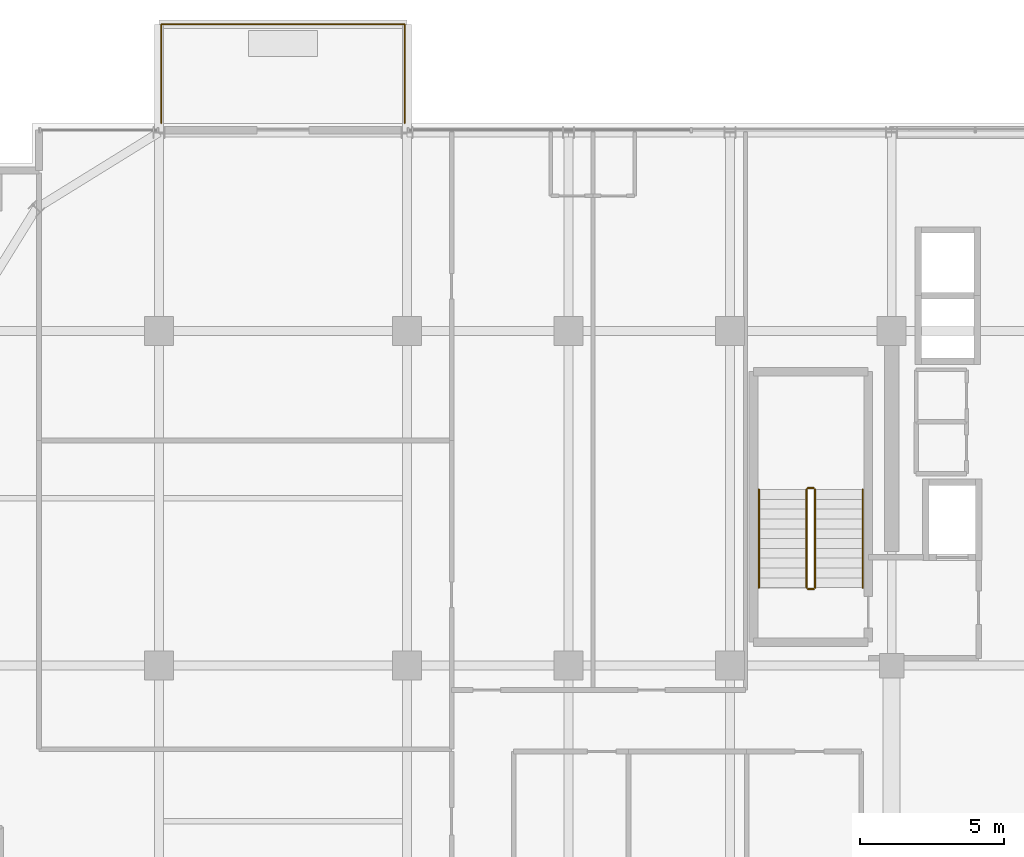
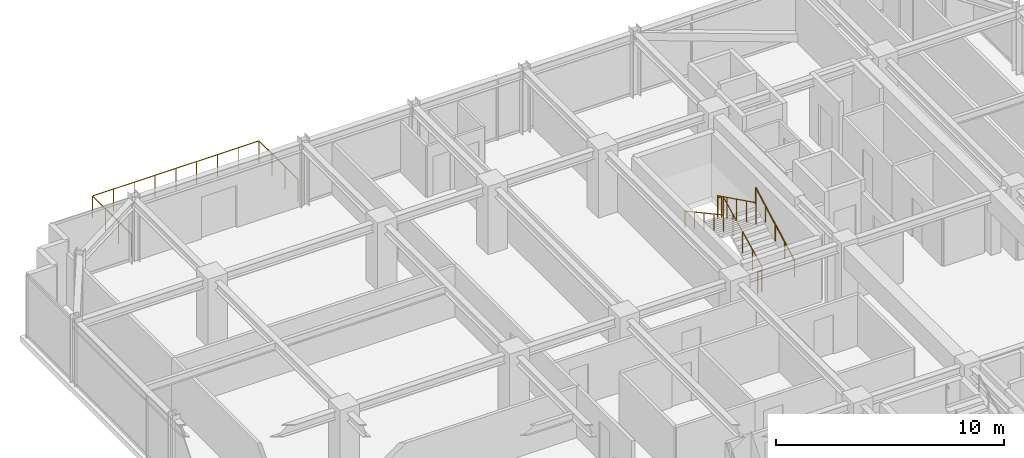
# One storey, part 35 of 36: 7 railings.
"""IFC4 building model written with IfcOpenShell, lengths in metres."""

from ifc_helpers import new_model, si_unit, direction, frame, origin, origin_2d, place, context, subcontext, project, spatial, circle, extrude, material, type_object, element, save


model = new_model("IFC4")

# Units and contexts
model_context = context("Model", 3, precision=1e-05, world=origin(), true_north=direction((0.0, 1.0)))
body_context = subcontext(model_context, "Body", "Model", "MODEL_VIEW")
ifc_project = project(units=[si_unit("LENGTHUNIT", "METRE"), si_unit("AREAUNIT", "SQUARE_METRE"), si_unit("VOLUMEUNIT", "CUBIC_METRE"), si_unit("PLANEANGLEUNIT", "RADIAN"), si_unit("MASSUNIT", "GRAM", prefix="KILO")], contexts=[model_context])

# Site, building, storey
site_placement = place(None, origin())
site = spatial("IfcSite", under=ifc_project, at=site_placement, CompositionType="ELEMENT")
building_placement = place(site_placement, origin())
building = spatial("IfcBuilding", under=site, at=building_placement, Name="Nahalor Promenade Grand Hotel", CompositionType="ELEMENT")
storey_placement = place(building_placement, frame((0.0, 0.0, 219.699951171875)))
storey = spatial("IfcBuildingStorey", under=building, at=storey_placement, Name="L56", CompositionType="ELEMENT", Elevation=219.699951171875)

# Railings
ifc_material_1 = material(Name="Anodised Bronze Aluminium EN AW-6063 T6", Category="aluminium")
railing_type_1 = type_object("IfcRailingType", Name="Bronze Balcony Guardrail 1200 mm", PredefinedType="GUARDRAIL", material=ifc_material_1)
railing_1_placement = place(storey_placement, frame((-16.919921875, 24.199951171875, 0.0)))
element("IfcRailing", 1, at=railing_1_placement, inside=storey, type_object=railing_type_1, Name="L56 Balcony Guardrail 1", PredefinedType="GUARDRAIL", context=body_context, shape_type="SweptSolid", body=[
    extrude(circle(Radius=0.024048, at=origin_2d()), frame((0.0, 0.0, 1.17578125), z_axis=(0.0, 1.0, 0.0), x_axis=(-1.0, 0.0, 0.0)), (0.0, 0.0, 1.0), 3.427978515625),
    extrude(circle(Radius=0.024048, at=origin_2d()), frame((0.001953125, 3.429931640625, 1.17578125), z_axis=(1.0, 0.0, 0.0), x_axis=(0.0, 1.0, 0.0)), (0.0, 0.0, 1.0), 8.43603515625),
    extrude(circle(Radius=0.024048, at=origin_2d()), frame((8.43994140625, 3.427978515625, 1.17578125), z_axis=(0.0, -1.0, 0.0), x_axis=(1.0, 0.0, 0.0)), (0.0, 0.0, 1.0), 3.427978515625),
    extrude(circle(Radius=0.020996, at=origin_2d()), origin(), (0.0, 0.0, 1.0), 1.14990234375),
    extrude(circle(Radius=0.020996, at=origin_2d()), frame((0.0, 1.143310546875, 0.0)), (0.0, 0.0, 1.0), 1.14990234375),
    extrude(circle(Radius=0.020996, at=origin_2d()), frame((0.0, 2.28662109375, 0.0)), (0.0, 0.0, 1.0), 1.14990234375),
    extrude(circle(Radius=0.020996, at=origin_2d()), frame((0.0, 3.429931640625, 0.0)), (0.0, 0.0, 1.0), 1.14990234375),
    extrude(circle(Radius=0.020996, at=origin_2d()), frame((1.054931640625, 3.429931640625, 0.0)), (0.0, 0.0, 1.0), 1.14990234375),
    extrude(circle(Radius=0.020996, at=origin_2d()), frame((2.10986328125, 3.429931640625, 0.0)), (0.0, 0.0, 1.0), 1.14990234375),
    extrude(circle(Radius=0.020996, at=origin_2d()), frame((3.1650390625, 3.429931640625, 0.0)), (0.0, 0.0, 1.0), 1.14990234375),
    extrude(circle(Radius=0.020996, at=origin_2d()), frame((4.219970703125, 3.429931640625, 0.0)), (0.0, 0.0, 1.0), 1.14990234375),
    extrude(circle(Radius=0.020996, at=origin_2d()), frame((5.27490234375, 3.429931640625, 0.0)), (0.0, 0.0, 1.0), 1.14990234375),
    extrude(circle(Radius=0.020996, at=origin_2d()), frame((6.330078125, 3.429931640625, 0.0)), (0.0, 0.0, 1.0), 1.14990234375),
    extrude(circle(Radius=0.020996, at=origin_2d()), frame((7.385009765625, 3.429931640625, 0.0)), (0.0, 0.0, 1.0), 1.14990234375),
    extrude(circle(Radius=0.020996, at=origin_2d()), frame((8.43994140625, 3.429931640625, 0.0)), (0.0, 0.0, 1.0), 1.14990234375),
    extrude(circle(Radius=0.020996, at=origin_2d()), frame((8.43994140625, 2.28662109375, 0.0)), (0.0, 0.0, 1.0), 1.14990234375),
    extrude(circle(Radius=0.020996, at=origin_2d()), frame((8.43994140625, 1.143310546875, 0.0)), (0.0, 0.0, 1.0), 1.14990234375),
    extrude(circle(Radius=0.020996, at=origin_2d()), frame((8.43994140625, 0.0, 0.0)), (0.0, 0.0, 1.0), 1.14990234375),
])
ifc_material_2 = material(Name="Steel S355JR", Category="steel")
railing_type_2 = type_object("IfcRailingType", Name="Steel Stair Guardrail 1150 mm", PredefinedType="GUARDRAIL", material=ifc_material_2)
railing_2_placement = place(storey_placement, frame((5.75, 8.10009765625, 0.168212890625)))
element("IfcRailing", 2, at=railing_2_placement, inside=storey, type_object=railing_type_2, Name="L56 ST1 stair guard 1", PredefinedType="GUARDRAIL", context=body_context, shape_type="SweptSolid", body=[
    extrude(circle(Radius=0.024048, at=origin_2d()), frame((0.0, 0.0, 1.1259765625), z_axis=(0.0, 0.896324230515, 0.443399226197), x_axis=(-1.0, 0.0, 0.0)), (0.0, 0.0, 1.0), 3.793212890625),
    extrude(circle(Radius=0.020996, at=origin_2d()), origin(), (0.0, 0.0, 1.0), 1.099853515625),
    extrude(circle(Radius=0.020996, at=origin_2d()), frame((0.0, 0.85009765625, 0.42041015625)), (0.0, 0.0, 1.0), 1.099853515625),
    extrude(circle(Radius=0.020996, at=origin_2d()), frame((0.0, 1.699951171875, 0.8408203125)), (0.0, 0.0, 1.0), 1.099853515625),
    extrude(circle(Radius=0.020996, at=origin_2d()), frame((0.0, 2.5498046875, 1.261474609375)), (0.0, 0.0, 1.0), 1.099853515625),
    extrude(circle(Radius=0.020996, at=origin_2d()), frame((0.0, 3.39990234375, 1.681884765625)), (0.0, 0.0, 1.0), 1.099853515625),
])
railing_3_placement = place(storey_placement, frame((5.699951171875, 11.550048828125, 1.85009765625)))
element("IfcRailing", 3, at=railing_3_placement, inside=storey, type_object=railing_type_2, Name="L56 ST1 stair guard 2", PredefinedType="GUARDRAIL", context=body_context, shape_type="SweptSolid", body=[
    extrude(circle(Radius=0.024048, at=origin_2d()), frame((0.0, 0.0, 1.1259765625), z_axis=(-1.0, 0.0, 0.0), x_axis=(0.0, -1.0, 0.0)), (0.0, 0.0, 1.0), 0.199951171875),
    extrude(circle(Radius=0.020996, at=origin_2d()), origin(), (0.0, 0.0, 1.0), 1.099853515625),
    extrude(circle(Radius=0.020996, at=origin_2d()), frame((-0.199951171875, 0.0, 0.0)), (0.0, 0.0, 1.0), 1.099853515625),
])
railing_4_placement = place(storey_placement, frame((5.449951171875, 11.5, 2.018310546875)))
element("IfcRailing", 4, at=railing_4_placement, inside=storey, type_object=railing_type_2, Name="L56 ST1 stair guard 3", PredefinedType="GUARDRAIL", context=body_context, shape_type="SweptSolid", body=[
    extrude(circle(Radius=0.024048, at=origin_2d()), frame((0.0, 0.0, 1.1259765625), z_axis=(0.0, -0.896349809652, 0.44334751464), x_axis=(1.0, 0.0, 0.0)), (0.0, 0.0, 1.0), 3.79296875),
    extrude(circle(Radius=0.020996, at=origin_2d()), origin(), (0.0, 0.0, 1.0), 1.099853515625),
    extrude(circle(Radius=0.020996, at=origin_2d()), frame((0.0, -0.85009765625, 0.42041015625)), (0.0, 0.0, 1.0), 1.099853515625),
    extrude(circle(Radius=0.020996, at=origin_2d()), frame((0.0, -1.699951171875, 0.8408203125)), (0.0, 0.0, 1.0), 1.099853515625),
    extrude(circle(Radius=0.020996, at=origin_2d()), frame((0.0, -2.5498046875, 1.26123046875)), (0.0, 0.0, 1.0), 1.099853515625),
    extrude(circle(Radius=0.020996, at=origin_2d()), frame((0.0, -3.39990234375, 1.681640625)), (0.0, 0.0, 1.0), 1.099853515625),
])
railing_5_placement = place(storey_placement, frame((5.699951171875, 8.050048828125, 0.0)))
element("IfcRailing", 5, at=railing_5_placement, inside=storey, type_object=railing_type_2, Name="L56 ST1 stair guard 4", PredefinedType="GUARDRAIL", context=body_context, shape_type="SweptSolid", body=[
    extrude(circle(Radius=0.024048, at=origin_2d()), frame((0.0, 0.0, 1.1259765625), z_axis=(-1.0, 0.0, 0.0), x_axis=(0.0, -1.0, 0.0)), (0.0, 0.0, 1.0), 0.199951171875),
    extrude(circle(Radius=0.020996, at=origin_2d()), origin(), (0.0, 0.0, 1.0), 1.099853515625),
    extrude(circle(Radius=0.020996, at=origin_2d()), frame((-0.199951171875, 0.0, 0.0)), (0.0, 0.0, 1.0), 1.099853515625),
])
railing_type_3 = type_object("IfcRailingType", Name="Steel Stair Handrail 900 mm", PredefinedType="HANDRAIL", material=ifc_material_2)
railing_6_placement = place(storey_placement, frame((7.39990234375, 8.10009765625, 0.168212890625)))
element("IfcRailing", 6, at=railing_6_placement, inside=storey, type_object=railing_type_3, Name="L56 ST1 stair handrail 1", PredefinedType="HANDRAIL", context=body_context, shape_type="SweptSolid", body=[
    extrude(circle(Radius=0.024048, at=origin_2d()), frame((0.0, 0.0, 0.8759765625), z_axis=(0.0, 0.87837241229, 0.47797688786), x_axis=(-1.0, 0.0, 0.0)), (0.0, 0.0, 1.0), 3.87060546875),
    extrude(circle(Radius=0.020996, at=origin_2d()), origin(), (0.0, 0.0, 1.0), 0.849853515625),
    extrude(circle(Radius=0.020996, at=origin_2d()), frame((0.0, 0.85009765625, 0.46240234375)), (0.0, 0.0, 1.0), 0.849853515625),
    extrude(circle(Radius=0.020996, at=origin_2d()), frame((0.0, 1.699951171875, 0.925048828125)), (0.0, 0.0, 1.0), 0.849853515625),
    extrude(circle(Radius=0.020996, at=origin_2d()), frame((0.0, 2.5498046875, 1.3876953125)), (0.0, 0.0, 1.0), 0.849853515625),
    extrude(circle(Radius=0.020996, at=origin_2d()), frame((0.0, 3.39990234375, 1.85009765625)), (0.0, 0.0, 1.0), 0.849853515625),
])
railing_7_placement = place(storey_placement, frame((3.800048828125, 11.5, 2.018310546875)))
element("IfcRailing", 7, at=railing_7_placement, inside=storey, type_object=railing_type_3, Name="L56 ST1 stair handrail 2", PredefinedType="HANDRAIL", context=body_context, shape_type="SweptSolid", body=[
    extrude(circle(Radius=0.024048, at=origin_2d()), frame((0.0, 0.0, 0.8759765625), z_axis=(0.0, -0.878398892953, 0.47792822145), x_axis=(1.0, 0.0, 0.0)), (0.0, 0.0, 1.0), 3.87060546875),
    extrude(circle(Radius=0.020996, at=origin_2d()), origin(), (0.0, 0.0, 1.0), 0.849853515625),
    extrude(circle(Radius=0.020996, at=origin_2d()), frame((0.0, -0.85009765625, 0.46240234375)), (0.0, 0.0, 1.0), 0.849853515625),
    extrude(circle(Radius=0.020996, at=origin_2d()), frame((0.0, -1.699951171875, 0.9248046875)), (0.0, 0.0, 1.0), 0.849853515625),
    extrude(circle(Radius=0.020996, at=origin_2d()), frame((0.0, -2.5498046875, 1.387451171875)), (0.0, 0.0, 1.0), 0.849853515625),
    extrude(circle(Radius=0.020996, at=origin_2d()), frame((0.0, -3.39990234375, 1.849853515625)), (0.0, 0.0, 1.0), 0.849853515625),
])

save(model, "model.ifc")
